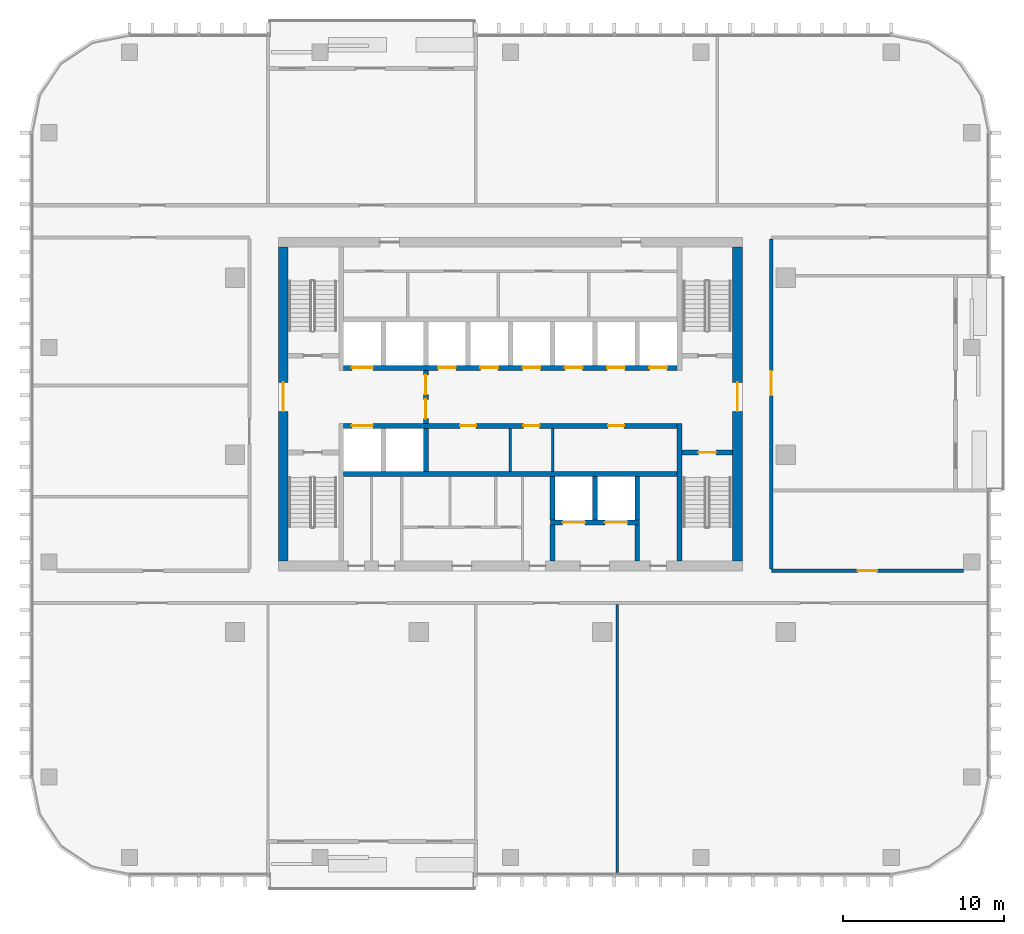
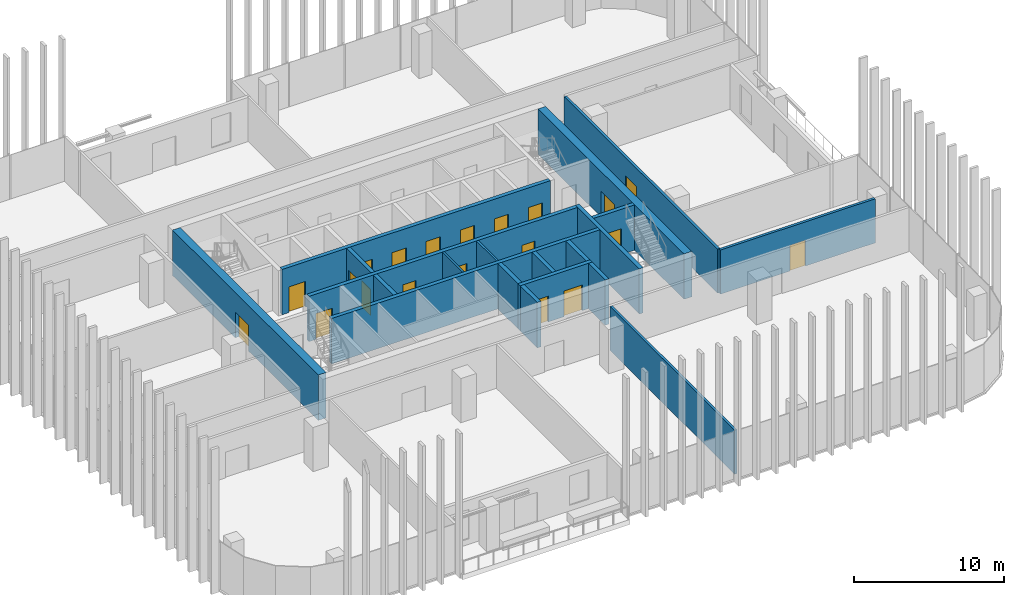
# One storey, part 8 of 16: 20 doors, 20 walls, 20 openings.
"""IFC4 building model written with IfcOpenShell, lengths in metres."""

from ifc_helpers import new_model, si_unit, direction, frame, frame_2d, origin, place, context, subcontext, project, spatial, rectangle, extrude, material, layer, layer_set, type_object, element, fill, save


model = new_model("IFC4")

# Units and contexts
model_context = context("Model", 3, precision=1e-05, world=origin(), true_north=direction((0.0, 1.0)))
body_context = subcontext(model_context, "Body", "Model", "MODEL_VIEW")
ifc_project = project(units=[si_unit("LENGTHUNIT", "METRE"), si_unit("AREAUNIT", "SQUARE_METRE"), si_unit("VOLUMEUNIT", "CUBIC_METRE"), si_unit("PLANEANGLEUNIT", "RADIAN"), si_unit("MASSUNIT", "GRAM", prefix="KILO")], contexts=[model_context])

# Site, building, storey
site_placement = place(None, origin())
site = spatial("IfcSite", under=ifc_project, at=site_placement, CompositionType="ELEMENT")
building_placement = place(site_placement, origin())
building = spatial("IfcBuilding", under=site, at=building_placement, Name="Mopane Tessera Tower", CompositionType="ELEMENT")
storey_placement = place(building_placement, frame((0.0, 0.0, 303.39990234375)))
storey = spatial("IfcBuildingStorey", under=building, at=storey_placement, Name="L66", CompositionType="ELEMENT", Elevation=303.39990234375)

# Walls
ifc_material_1 = material(Name="Fire-rated gypsum board partition")
ifc_layer_1 = layer(ifc_material_1, 0.14990234375)
ifc_layer_set_1 = layer_set([ifc_layer_1], Name="Fire-rated gypsum board partition")
wall_type_1 = type_object("IfcWallType", Name="Core room partition 150 mm", PredefinedType="PARTITIONING", material=ifc_layer_set_1)
for number, where, z_axis, x_axis, name in (
    (1, (0.0, -1.050048828125, 0.0), (0.0, 0.0, 1.0), (0.0, 1.0, 0.0), "L66 Room partition"),
    (2, (2.625, -1.050048828125, 0.0), (0.0, 0.0, 1.0), (0.0, 1.0, 0.0), "L66 Room partition"),
):
    element("IfcWall", number, at=place(storey_placement, frame(where, z_axis=z_axis, x_axis=x_axis)), inside=storey, type_object=wall_type_1, Name=name, PredefinedType="PARTITIONING", context=body_context, shape_type="SweptSolid", body=[
        extrude(rectangle(XDim=2.699951171875, YDim=0.14990234375, at=frame_2d((1.35009765625, 0.0))), origin(), (0.0, 0.0, 1.0), 3.7001953125),
    ])

# Wall, opening, door
ifc_material_2 = material(Name="Concrete C70/85", Category="concrete")
ifc_layer_2 = layer(ifc_material_2, 0.60009765625)
ifc_layer_set_2 = layer_set([ifc_layer_2], Name="Concrete C70/85")
wall_type_2 = type_object("IfcWallType", Name="Core shear wall 600 mm", PredefinedType="SHEAR", material=ifc_layer_set_2)
wall_1_placement = place(storey_placement, frame((-14.10009765625, -6.60009765625, 0.0), z_axis=(0.0, 0.0, 1.0), x_axis=(0.0, 1.0, 0.0)))
wall_1 = element("IfcWall", 3, at=wall_1_placement, inside=storey, type_object=wall_type_2, Name="L66 Core wall west", PredefinedType="SHEAR", context=body_context, shape_type="SweptSolid", body=[
    extrude(rectangle(XDim=19.5, YDim=0.60009765625, at=frame_2d((9.75, 0.0))), origin(), (0.0, 0.0, 1.0), 3.7001953125),
])
opening_1_placement = place(wall_1_placement, frame((9.300048828125, 0.0, 0.0)))
opening_1 = element("IfcOpeningElement", 4, at=opening_1_placement, cuts=wall_1, Name="Opening SD2", PredefinedType="OPENING", context=body_context, shape_type="SweptSolid", body=[
    extrude(rectangle(XDim=1.800048828125, YDim=2.10009765625, at=frame_2d((0.89990234375, 1.050048828125))), frame((0.0, 0.31201171875, 0.0), z_axis=(0.0, -1.0, 0.0), x_axis=(1.0, 0.0, 0.0)), (0.0, 0.0, 1.0), 0.6240234375),
])
ifc_material_3 = material(Name="Steel fire door", Category="steel")
door_type_1 = type_object("IfcDoorType", Name="Core entrance double door 1800 x 2100", OperationType="DOUBLE_DOOR_SINGLE_SWING", PredefinedType="DOOR", material=ifc_material_3)
door_1_placement = place(opening_1_placement, origin())
door_1 = element("IfcDoor", 5, at=door_1_placement, inside=storey, type_object=door_type_1, Name="L66 Core entrance door west", OperationType="DOUBLE_DOOR_SINGLE_SWING", OverallHeight=2.10009765625, OverallWidth=1.800048828125, PredefinedType="DOOR", context=body_context, shape_type="SweptSolid", body=[
    extrude(rectangle(XDim=1.800048828125, YDim=2.10009765625, at=frame_2d((0.89990234375, 1.050048828125))), frame((0.0, 0.02490234375, 0.0), z_axis=(0.0, -1.0, 0.0), x_axis=(1.0, 0.0, 0.0)), (0.0, 0.0, 1.0), 0.050048828125),
])
fill(opening_1, door_1)

wall_2_placement = place(storey_placement, frame((14.10009765625, -6.60009765625, 0.0), z_axis=(0.0, 0.0, 1.0), x_axis=(0.0, 1.0, 0.0)))
wall_2 = element("IfcWall", 6, at=wall_2_placement, inside=storey, type_object=wall_type_2, Name="L66 Core wall east", PredefinedType="SHEAR", context=body_context, shape_type="SweptSolid", body=[
    extrude(rectangle(XDim=19.5, YDim=0.60009765625, at=frame_2d((9.75, 0.0))), origin(), (0.0, 0.0, 1.0), 3.7001953125),
])
opening_2_placement = place(wall_2_placement, frame((9.300048828125, 0.0, 0.0)))
opening_2 = element("IfcOpeningElement", 7, at=opening_2_placement, cuts=wall_2, Name="Opening SD2", PredefinedType="OPENING", context=body_context, shape_type="SweptSolid", body=[
    extrude(rectangle(XDim=1.800048828125, YDim=2.10009765625, at=frame_2d((0.89990234375, 1.050048828125))), frame((0.0, 0.31201171875, 0.0), z_axis=(0.0, -1.0, 0.0), x_axis=(1.0, 0.0, 0.0)), (0.0, 0.0, 1.0), 0.6240234375),
])
door_2_placement = place(opening_2_placement, origin())
door_2 = element("IfcDoor", 8, at=door_2_placement, inside=storey, type_object=door_type_1, Name="L66 Core entrance door east", OperationType="DOUBLE_DOOR_SINGLE_SWING", OverallHeight=2.10009765625, OverallWidth=1.800048828125, PredefinedType="DOOR", context=body_context, shape_type="SweptSolid", body=[
    extrude(rectangle(XDim=1.800048828125, YDim=2.10009765625, at=frame_2d((0.89990234375, 1.050048828125))), frame((0.0, 0.02490234375, 0.0), z_axis=(0.0, -1.0, 0.0), x_axis=(1.0, 0.0, 0.0)), (0.0, 0.0, 1.0), 0.050048828125),
])
fill(opening_2, door_2)

# Walls
ifc_material_4 = material(Name="Concrete C60/75", Category="concrete")
ifc_layer_3 = layer(ifc_material_4, 0.300048828125)
ifc_layer_set_3 = layer_set([ifc_layer_3], Name="Concrete C60/75")
wall_type_3 = type_object("IfcWallType", Name="Core spine wall 300 mm", PredefinedType="SHEAR", material=ifc_layer_set_3)
wall_3_placement = place(storey_placement, frame((10.5, -6.60009765625, 0.0), z_axis=(0.0, 0.0, 1.0), x_axis=(0.0, 1.0, 0.0)))
element("IfcWall", 9, at=wall_3_placement, inside=storey, type_object=wall_type_3, Name="L66 Core spine wall", PredefinedType="SHEAR", context=body_context, shape_type="SweptSolid", body=[
    extrude(rectangle(XDim=8.550048828125, YDim=0.300048828125, at=frame_2d((4.27490234375, 0.0))), origin(), (0.0, 0.0, 1.0), 3.7001953125),
])
ifc_material_5 = material(Name="Gypsum board on staggered steel studs, double layer each face, acoustic mineral wool infill", Category="steel")
ifc_layer_4 = layer(ifc_material_5, 0.175048828125)
ifc_layer_set_4 = layer_set([ifc_layer_4], Name="Gypsum board on staggered steel studs, double layer each face, acoustic mineral wool infill")
wall_type_4 = type_object("IfcWallType", Name="Gypsum board acoustic partition 175, rated EI 60", PredefinedType="PARTITIONING", material=ifc_layer_set_4)
wall_4_placement = place(storey_placement, frame((6.6298828125, -25.949951171875, 0.0), z_axis=(0.0, 0.0, 1.0), x_axis=(0.0, 1.0, 0.0)))
element("IfcWall", 10, at=wall_4_placement, inside=storey, type_object=wall_type_4, Name="Partition L66:015", PredefinedType="PARTITIONING", context=body_context, shape_type="SweptSolid", body=[
    extrude(rectangle(XDim=16.64990234375, YDim=0.175048828125, at=frame_2d((8.324951171875, 0.0))), origin(), (0.0, 0.0, 1.0), 3.60009765625),
])

# Wall, opening, door
ifc_material_6 = material(Name="Gypsum board on steel studs, two layers each face, mineral wool infill", Category="steel")
ifc_layer_5 = layer(ifc_material_6, 0.199951171875)
ifc_layer_set_5 = layer_set([ifc_layer_5], Name="Gypsum board on steel studs, two layers each face, mineral wool infill")
wall_type_5 = type_object("IfcWallType", Name="Gypsum board corridor wall 200, rated EI 60", PredefinedType="PARTITIONING", material=ifc_layer_set_5)
wall_5_placement = place(storey_placement, frame((16.199951171875, -7.199951171875, 0.0), z_axis=(0.0, 0.0, 1.0), x_axis=(1.0, 0.0, 0.0)))
wall_5 = element("IfcWall", 11, at=wall_5_placement, inside=storey, type_object=wall_type_5, Name="Partition L66:002", PredefinedType="PARTITIONING", context=body_context, shape_type="SweptSolid", body=[
    extrude(rectangle(XDim=11.949951171875, YDim=0.199951171875, at=frame_2d((5.97509765625, 0.0))), origin(), (0.0, 0.0, 1.0), 3.60009765625),
])
opening_3_placement = place(wall_5_placement, frame((5.375, 0.0, 0.0)))
opening_3 = element("IfcOpeningElement", 12, at=opening_3_placement, cuts=wall_5, Name="Opening L66-14", PredefinedType="OPENING", context=body_context, shape_type="SweptSolid", body=[
    extrude(rectangle(XDim=1.199951171875, YDim=2.10009765625, at=frame_2d((0.60009765625, 1.050048828125))), frame((0.0, 0.112060546875, 0.0), z_axis=(0.0, -1.0, 0.0), x_axis=(1.0, 0.0, 0.0)), (0.0, 0.0, 1.0), 0.223876953125),
])
ifc_material_7 = material(Name="Timber veneered steel-framed fire door", Category="steel")
door_type_2 = type_object("IfcDoorType", Name="Fire door FD60 1200 x 2100", OperationType="SINGLE_SWING_LEFT", PredefinedType="DOOR", material=ifc_material_7)
door_3_placement = place(opening_3_placement, origin())
door_3 = element("IfcDoor", 13, at=door_3_placement, inside=storey, type_object=door_type_2, Name="Door L66-14", ObjectType="D15A", OperationType="SINGLE_SWING_LEFT", OverallHeight=2.10009765625, OverallWidth=1.199951171875, PredefinedType="DOOR", context=body_context, shape_type="SweptSolid", body=[
    extrude(rectangle(XDim=1.199951171875, YDim=2.10009765625, at=frame_2d((0.60009765625, 1.050048828125))), frame((0.0, 0.02490234375, 0.0), z_axis=(0.0, -1.0, 0.0), x_axis=(1.0, 0.0, 0.0)), (0.0, 0.0, 1.0), 0.050048828125),
])
fill(opening_3, door_3)

wall_6_placement = place(storey_placement, frame((16.199951171875, -7.10009765625, 0.0), z_axis=(0.0, 0.0, 1.0), x_axis=(0.0, 1.0, 0.0)))
wall_6 = element("IfcWall", 14, at=wall_6_placement, inside=storey, type_object=wall_type_5, Name="Partition L66:017", PredefinedType="PARTITIONING", context=body_context, shape_type="SweptSolid", body=[
    extrude(rectangle(XDim=20.5, YDim=0.199951171875, at=frame_2d((10.25, 0.0))), origin(), (0.0, 0.0, 1.0), 3.60009765625),
])
opening_4_placement = place(wall_6_placement, frame((10.794921875, 0.0, 0.0)))
opening_4 = element("IfcOpeningElement", 15, at=opening_4_placement, cuts=wall_6, Name="Opening L66-05", PredefinedType="OPENING", context=body_context, shape_type="SweptSolid", body=[
    extrude(rectangle(XDim=1.5, YDim=2.10009765625, at=frame_2d((0.75, 1.050048828125))), frame((0.0, 0.112060546875, 0.0), z_axis=(0.0, -1.0, 0.0), x_axis=(1.0, 0.0, 0.0)), (0.0, 0.0, 1.0), 0.223876953125),
])
ifc_material_8 = material(Name="Timber veneered steel-framed fire door", Category="steel")
door_type_3 = type_object("IfcDoorType", Name="Fire door pair FD60 1500 x 2100", OperationType="DOUBLE_DOOR_SINGLE_SWING", PredefinedType="DOOR", material=ifc_material_8)
door_4_placement = place(opening_4_placement, origin())
door_4 = element("IfcDoor", 16, at=door_4_placement, inside=storey, type_object=door_type_3, Name="Door L66-05", ObjectType="D17A", OperationType="DOUBLE_DOOR_SINGLE_SWING", OverallHeight=2.10009765625, OverallWidth=1.5, PredefinedType="DOOR", context=body_context, shape_type="SweptSolid", body=[
    extrude(rectangle(XDim=1.5, YDim=2.10009765625, at=frame_2d((0.75, 1.050048828125))), frame((0.0, 0.02490234375, 0.0), z_axis=(0.0, -1.0, 0.0), x_axis=(1.0, 0.0, 0.0)), (0.0, 0.0, 1.0), 0.050048828125),
])
fill(opening_4, door_4)

ifc_material_9 = material(Name="Concrete C50/60", Category="concrete")
ifc_layer_6 = layer(ifc_material_9, 0.300048828125)
ifc_layer_set_6 = layer_set([ifc_layer_6], Name="Concrete C50/60")
wall_type_6 = type_object("IfcWallType", Name="Lift and stair shaft wall 300 mm", PredefinedType="SOLIDWALL", material=ifc_layer_set_6)
wall_7_placement = place(storey_placement, frame((10.64990234375, 0.14990234375, 0.0), z_axis=(0.0, 0.0, 1.0), x_axis=(1.0, 0.0, 0.0)))
wall_7 = element("IfcWall", 17, at=wall_7_placement, inside=storey, type_object=wall_type_6, Name="L66 Stair enclosure wall", PredefinedType="SOLIDWALL", context=body_context, shape_type="SweptSolid", body=[
    extrude(rectangle(XDim=3.150146484375, YDim=0.300048828125, at=frame_2d((1.5751953125, 0.0))), origin(), (0.0, 0.0, 1.0), 3.7001953125),
])
opening_5_placement = place(wall_7_placement, frame((1.02490234375, 0.0, 0.0)))
opening_5 = element("IfcOpeningElement", 18, at=opening_5_placement, cuts=wall_7, Name="Opening SD1", PredefinedType="OPENING", context=body_context, shape_type="SweptSolid", body=[
    extrude(rectangle(XDim=1.10009765625, YDim=2.10009765625, at=frame_2d((0.550048828125, 1.050048828125))), frame((0.0, 0.162109375, 0.0), z_axis=(0.0, -1.0, 0.0), x_axis=(1.0, 0.0, 0.0)), (0.0, 0.0, 1.0), 0.323974609375),
])
ifc_material_10 = material(Name="Steel fire door", Category="steel")
door_type_4 = type_object("IfcDoorType", Name="Stair fire door 1100 x 2100", OperationType="SINGLE_SWING_LEFT", PredefinedType="DOOR", material=ifc_material_10)
door_5_placement = place(opening_5_placement, origin())
door_5 = element("IfcDoor", 19, at=door_5_placement, inside=storey, type_object=door_type_4, Name="L66 Stair door ST3", OperationType="SINGLE_SWING_RIGHT", OverallHeight=2.10009765625, OverallWidth=1.10009765625, PredefinedType="DOOR", context=body_context, shape_type="SweptSolid", body=[
    extrude(rectangle(XDim=1.10009765625, YDim=2.10009765625, at=frame_2d((0.550048828125, 1.050048828125))), frame((0.0, 0.02490234375, 0.0), z_axis=(0.0, -1.0, 0.0), x_axis=(1.0, 0.0, 0.0)), (0.0, 0.0, 1.0), 0.050048828125),
])
fill(opening_5, door_5)

# Wall
wall_8_placement = place(storey_placement, frame((-10.35009765625, -1.199951171875, 0.0), z_axis=(0.0, 0.0, 1.0), x_axis=(1.0, 0.0, 0.0)))
element("IfcWall", 20, at=wall_8_placement, inside=storey, type_object=wall_type_6, Name="L66 Lift shaft rear wall", PredefinedType="SOLIDWALL", context=body_context, shape_type="SweptSolid", body=[
    extrude(rectangle(XDim=20.7001953125, YDim=0.300048828125, at=frame_2d((10.35009765625, 0.0))), origin(), (0.0, 0.0, 1.0), 3.7001953125),
])

# Wall, openings, doors
wall_9_placement = place(storey_placement, frame((-10.35009765625, 1.800048828125, 0.0), z_axis=(0.0, 0.0, 1.0), x_axis=(1.0, 0.0, 0.0)))
wall_9 = element("IfcWall", 21, at=wall_9_placement, inside=storey, type_object=wall_type_6, Name="L66 Lift shaft front wall", PredefinedType="SOLIDWALL", context=body_context, shape_type="SweptSolid", body=[
    extrude(rectangle(XDim=20.7001953125, YDim=0.300048828125, at=frame_2d((10.35009765625, 0.0))), origin(), (0.0, 0.0, 1.0), 3.7001953125),
])
opening_6_placement = place(wall_9_placement, frame((0.512451171875, 0.0, 0.0)))
opening_6 = element("IfcOpeningElement", 22, at=opening_6_placement, cuts=wall_9, Name="Opening LD2", PredefinedType="OPENING", context=body_context, shape_type="SweptSolid", body=[
    extrude(rectangle(XDim=1.300048828125, YDim=2.10009765625, at=frame_2d((0.64990234375, 1.050048828125))), frame((0.0, 0.162109375, 0.0), z_axis=(0.0, -1.0, 0.0), x_axis=(1.0, 0.0, 0.0)), (0.0, 0.0, 1.0), 0.323974609375),
])
opening_7_placement = place(wall_9_placement, frame((7.22509765625, 0.0, 0.0)))
opening_7 = element("IfcOpeningElement", 23, at=opening_7_placement, cuts=wall_9, Name="Opening RD1", PredefinedType="OPENING", context=body_context, shape_type="SweptSolid", body=[
    extrude(rectangle(XDim=1.0, YDim=2.10009765625, at=frame_2d((0.5, 1.050048828125))), frame((0.0, 0.162109375, 0.0), z_axis=(0.0, -1.0, 0.0), x_axis=(1.0, 0.0, 0.0)), (0.0, 0.0, 1.0), 0.323974609375),
])
opening_8_placement = place(wall_9_placement, frame((11.16259765625, 0.0, 0.0)))
opening_8 = element("IfcOpeningElement", 24, at=opening_8_placement, cuts=wall_9, Name="Opening RD1", PredefinedType="OPENING", context=body_context, shape_type="SweptSolid", body=[
    extrude(rectangle(XDim=1.0, YDim=2.10009765625, at=frame_2d((0.5, 1.050048828125))), frame((0.0, 0.162109375, 0.0), z_axis=(0.0, -1.0, 0.0), x_axis=(1.0, 0.0, 0.0)), (0.0, 0.0, 1.0), 0.323974609375),
])
opening_9_placement = place(wall_9_placement, frame((16.41259765625, 0.0, 0.0)))
opening_9 = element("IfcOpeningElement", 25, at=opening_9_placement, cuts=wall_9, Name="Opening RD1", PredefinedType="OPENING", context=body_context, shape_type="SweptSolid", body=[
    extrude(rectangle(XDim=1.0, YDim=2.10009765625, at=frame_2d((0.5, 1.050048828125))), frame((0.0, 0.162109375, 0.0), z_axis=(0.0, -1.0, 0.0), x_axis=(1.0, 0.0, 0.0)), (0.0, 0.0, 1.0), 0.323974609375),
])
ifc_material_11 = material(Name="Timber door", Category="wood")
door_type_5 = type_object("IfcDoorType", Name="Core room door 1000 x 2100", OperationType="SINGLE_SWING_LEFT", PredefinedType="DOOR", material=ifc_material_11)
door_6_placement = place(opening_7_placement, origin())
door_6 = element("IfcDoor", 26, at=door_6_placement, inside=storey, type_object=door_type_5, Name="L66 Room door", OperationType="SINGLE_SWING_LEFT", OverallHeight=2.10009765625, OverallWidth=1.0, PredefinedType="DOOR", context=body_context, shape_type="SweptSolid", body=[
    extrude(rectangle(XDim=1.0, YDim=2.10009765625, at=frame_2d((0.5, 1.050048828125))), frame((0.0, 0.02490234375, 0.0), z_axis=(0.0, -1.0, 0.0), x_axis=(1.0, 0.0, 0.0)), (0.0, 0.0, 1.0), 0.050048828125),
])
fill(opening_7, door_6)
door_7_placement = place(opening_8_placement, origin())
door_7 = element("IfcDoor", 27, at=door_7_placement, inside=storey, type_object=door_type_5, Name="L66 Room door", OperationType="SINGLE_SWING_LEFT", OverallHeight=2.10009765625, OverallWidth=1.0, PredefinedType="DOOR", context=body_context, shape_type="SweptSolid", body=[
    extrude(rectangle(XDim=1.0, YDim=2.10009765625, at=frame_2d((0.5, 1.050048828125))), frame((0.0, 0.02490234375, 0.0), z_axis=(0.0, -1.0, 0.0), x_axis=(1.0, 0.0, 0.0)), (0.0, 0.0, 1.0), 0.050048828125),
])
fill(opening_8, door_7)
door_8_placement = place(opening_9_placement, origin())
door_8 = element("IfcDoor", 28, at=door_8_placement, inside=storey, type_object=door_type_5, Name="L66 Room door", OperationType="SINGLE_SWING_LEFT", OverallHeight=2.10009765625, OverallWidth=1.0, PredefinedType="DOOR", context=body_context, shape_type="SweptSolid", body=[
    extrude(rectangle(XDim=1.0, YDim=2.10009765625, at=frame_2d((0.5, 1.050048828125))), frame((0.0, 0.02490234375, 0.0), z_axis=(0.0, -1.0, 0.0), x_axis=(1.0, 0.0, 0.0)), (0.0, 0.0, 1.0), 0.050048828125),
])
fill(opening_9, door_8)
ifc_material_12 = material(Name="Stainless steel sliding door", Category="steel")
door_type_6 = type_object("IfcDoorType", Name="Fire-fighting lift landing door 1300 x 2100", OperationType="DOUBLE_DOOR_SLIDING", PredefinedType="DOOR", material=ifc_material_12)
door_9_placement = place(opening_6_placement, origin())
door_9 = element("IfcDoor", 29, at=door_9_placement, inside=storey, type_object=door_type_6, Name="L66 Lift landing door FF1", OperationType="DOUBLE_DOOR_SLIDING", OverallHeight=2.10009765625, OverallWidth=1.300048828125, PredefinedType="DOOR", context=body_context, shape_type="SweptSolid", body=[
    extrude(rectangle(XDim=1.300048828125, YDim=2.10009765625, at=frame_2d((0.64990234375, 1.050048828125))), frame((0.0, 0.02490234375, 0.0), z_axis=(0.0, -1.0, 0.0), x_axis=(1.0, 0.0, 0.0)), (0.0, 0.0, 1.0), 0.050048828125),
])
fill(opening_6, door_9)

wall_10_placement = place(storey_placement, frame((-10.35009765625, 5.39990234375, 0.0), z_axis=(0.0, 0.0, 1.0), x_axis=(1.0, 0.0, 0.0)))
wall_10 = element("IfcWall", 30, at=wall_10_placement, inside=storey, type_object=wall_type_6, Name="L66 Lift shaft front wall", PredefinedType="SOLIDWALL", context=body_context, shape_type="SweptSolid", body=[
    extrude(rectangle(XDim=20.7001953125, YDim=0.300048828125, at=frame_2d((10.35009765625, 0.0))), origin(), (0.0, 0.0, 1.0), 3.7001953125),
])
opening_10_placement = place(wall_10_placement, frame((0.512451171875, 0.0, 0.0)))
opening_10 = element("IfcOpeningElement", 31, at=opening_10_placement, cuts=wall_10, Name="Opening LD2", PredefinedType="OPENING", context=body_context, shape_type="SweptSolid", body=[
    extrude(rectangle(XDim=1.300048828125, YDim=2.10009765625, at=frame_2d((0.64990234375, 1.050048828125))), frame((0.0, 0.162109375, 0.0), z_axis=(0.0, -1.0, 0.0), x_axis=(1.0, 0.0, 0.0)), (0.0, 0.0, 1.0), 0.323974609375),
])
opening_11_placement = place(wall_10_placement, frame((5.862548828125, 0.0, 0.0)))
opening_11 = element("IfcOpeningElement", 32, at=opening_11_placement, cuts=wall_10, Name="Opening LD", PredefinedType="OPENING", context=body_context, shape_type="SweptSolid", body=[
    extrude(rectangle(XDim=1.10009765625, YDim=2.10009765625, at=frame_2d((0.550048828125, 1.050048828125))), frame((0.0, 0.162109375, 0.0), z_axis=(0.0, -1.0, 0.0), x_axis=(1.0, 0.0, 0.0)), (0.0, 0.0, 1.0), 0.323974609375),
])
opening_12_placement = place(wall_10_placement, frame((8.487548828125, 0.0, 0.0)))
opening_12 = element("IfcOpeningElement", 33, at=opening_12_placement, cuts=wall_10, Name="Opening LD", PredefinedType="OPENING", context=body_context, shape_type="SweptSolid", body=[
    extrude(rectangle(XDim=1.10009765625, YDim=2.10009765625, at=frame_2d((0.550048828125, 1.050048828125))), frame((0.0, 0.162109375, 0.0), z_axis=(0.0, -1.0, 0.0), x_axis=(1.0, 0.0, 0.0)), (0.0, 0.0, 1.0), 0.323974609375),
])
opening_13_placement = place(wall_10_placement, frame((11.112548828125, 0.0, 0.0)))
opening_13 = element("IfcOpeningElement", 34, at=opening_13_placement, cuts=wall_10, Name="Opening LD", PredefinedType="OPENING", context=body_context, shape_type="SweptSolid", body=[
    extrude(rectangle(XDim=1.10009765625, YDim=2.10009765625, at=frame_2d((0.550048828125, 1.050048828125))), frame((0.0, 0.162109375, 0.0), z_axis=(0.0, -1.0, 0.0), x_axis=(1.0, 0.0, 0.0)), (0.0, 0.0, 1.0), 0.323974609375),
])
opening_14_placement = place(wall_10_placement, frame((13.737548828125, 0.0, 0.0)))
opening_14 = element("IfcOpeningElement", 35, at=opening_14_placement, cuts=wall_10, Name="Opening LD", PredefinedType="OPENING", context=body_context, shape_type="SweptSolid", body=[
    extrude(rectangle(XDim=1.10009765625, YDim=2.10009765625, at=frame_2d((0.550048828125, 1.050048828125))), frame((0.0, 0.162109375, 0.0), z_axis=(0.0, -1.0, 0.0), x_axis=(1.0, 0.0, 0.0)), (0.0, 0.0, 1.0), 0.323974609375),
])
opening_15_placement = place(wall_10_placement, frame((16.362548828125, 0.0, 0.0)))
opening_15 = element("IfcOpeningElement", 36, at=opening_15_placement, cuts=wall_10, Name="Opening LD", PredefinedType="OPENING", context=body_context, shape_type="SweptSolid", body=[
    extrude(rectangle(XDim=1.10009765625, YDim=2.10009765625, at=frame_2d((0.550048828125, 1.050048828125))), frame((0.0, 0.162109375, 0.0), z_axis=(0.0, -1.0, 0.0), x_axis=(1.0, 0.0, 0.0)), (0.0, 0.0, 1.0), 0.323974609375),
])
opening_16_placement = place(wall_10_placement, frame((18.987548828125, 0.0, 0.0)))
opening_16 = element("IfcOpeningElement", 37, at=opening_16_placement, cuts=wall_10, Name="Opening LD", PredefinedType="OPENING", context=body_context, shape_type="SweptSolid", body=[
    extrude(rectangle(XDim=1.10009765625, YDim=2.10009765625, at=frame_2d((0.550048828125, 1.050048828125))), frame((0.0, 0.162109375, 0.0), z_axis=(0.0, -1.0, 0.0), x_axis=(1.0, 0.0, 0.0)), (0.0, 0.0, 1.0), 0.323974609375),
])
door_10_placement = place(opening_10_placement, origin())
door_10 = element("IfcDoor", 38, at=door_10_placement, inside=storey, type_object=door_type_6, Name="L66 Lift landing door FF2", OperationType="DOUBLE_DOOR_SLIDING", OverallHeight=2.10009765625, OverallWidth=1.300048828125, PredefinedType="DOOR", context=body_context, shape_type="SweptSolid", body=[
    extrude(rectangle(XDim=1.300048828125, YDim=2.10009765625, at=frame_2d((0.64990234375, 1.050048828125))), frame((0.0, 0.02490234375, 0.0), z_axis=(0.0, -1.0, 0.0), x_axis=(1.0, 0.0, 0.0)), (0.0, 0.0, 1.0), 0.050048828125),
])
fill(opening_10, door_10)
ifc_material_13 = material(Name="Stainless steel sliding door", Category="steel")
door_type_7 = type_object("IfcDoorType", Name="Lift landing door 1100 x 2100", OperationType="DOUBLE_DOOR_SLIDING", PredefinedType="DOOR", material=ifc_material_13)
door_11_placement = place(opening_11_placement, origin())
door_11 = element("IfcDoor", 39, at=door_11_placement, inside=storey, type_object=door_type_7, Name="L66 Lift landing door HR1", OperationType="DOUBLE_DOOR_SLIDING", OverallHeight=2.10009765625, OverallWidth=1.10009765625, PredefinedType="DOOR", context=body_context, shape_type="SweptSolid", body=[
    extrude(rectangle(XDim=1.10009765625, YDim=2.10009765625, at=frame_2d((0.550048828125, 1.050048828125))), frame((0.0, 0.02490234375, 0.0), z_axis=(0.0, -1.0, 0.0), x_axis=(1.0, 0.0, 0.0)), (0.0, 0.0, 1.0), 0.050048828125),
])
fill(opening_11, door_11)
door_12_placement = place(opening_12_placement, origin())
door_12 = element("IfcDoor", 40, at=door_12_placement, inside=storey, type_object=door_type_7, Name="L66 Lift landing door HR2", OperationType="DOUBLE_DOOR_SLIDING", OverallHeight=2.10009765625, OverallWidth=1.10009765625, PredefinedType="DOOR", context=body_context, shape_type="SweptSolid", body=[
    extrude(rectangle(XDim=1.10009765625, YDim=2.10009765625, at=frame_2d((0.550048828125, 1.050048828125))), frame((0.0, 0.02490234375, 0.0), z_axis=(0.0, -1.0, 0.0), x_axis=(1.0, 0.0, 0.0)), (0.0, 0.0, 1.0), 0.050048828125),
])
fill(opening_12, door_12)
door_13_placement = place(opening_13_placement, origin())
door_13 = element("IfcDoor", 41, at=door_13_placement, inside=storey, type_object=door_type_7, Name="L66 Lift landing door HR3", OperationType="DOUBLE_DOOR_SLIDING", OverallHeight=2.10009765625, OverallWidth=1.10009765625, PredefinedType="DOOR", context=body_context, shape_type="SweptSolid", body=[
    extrude(rectangle(XDim=1.10009765625, YDim=2.10009765625, at=frame_2d((0.550048828125, 1.050048828125))), frame((0.0, 0.02490234375, 0.0), z_axis=(0.0, -1.0, 0.0), x_axis=(1.0, 0.0, 0.0)), (0.0, 0.0, 1.0), 0.050048828125),
])
fill(opening_13, door_13)
door_14_placement = place(opening_14_placement, origin())
door_14 = element("IfcDoor", 42, at=door_14_placement, inside=storey, type_object=door_type_7, Name="L66 Lift landing door HR4", OperationType="DOUBLE_DOOR_SLIDING", OverallHeight=2.10009765625, OverallWidth=1.10009765625, PredefinedType="DOOR", context=body_context, shape_type="SweptSolid", body=[
    extrude(rectangle(XDim=1.10009765625, YDim=2.10009765625, at=frame_2d((0.550048828125, 1.050048828125))), frame((0.0, 0.02490234375, 0.0), z_axis=(0.0, -1.0, 0.0), x_axis=(1.0, 0.0, 0.0)), (0.0, 0.0, 1.0), 0.050048828125),
])
fill(opening_14, door_14)
door_15_placement = place(opening_15_placement, origin())
door_15 = element("IfcDoor", 43, at=door_15_placement, inside=storey, type_object=door_type_7, Name="L66 Lift landing door HR5", OperationType="DOUBLE_DOOR_SLIDING", OverallHeight=2.10009765625, OverallWidth=1.10009765625, PredefinedType="DOOR", context=body_context, shape_type="SweptSolid", body=[
    extrude(rectangle(XDim=1.10009765625, YDim=2.10009765625, at=frame_2d((0.550048828125, 1.050048828125))), frame((0.0, 0.02490234375, 0.0), z_axis=(0.0, -1.0, 0.0), x_axis=(1.0, 0.0, 0.0)), (0.0, 0.0, 1.0), 0.050048828125),
])
fill(opening_15, door_15)
door_16_placement = place(opening_16_placement, origin())
door_16 = element("IfcDoor", 44, at=door_16_placement, inside=storey, type_object=door_type_7, Name="L66 Lift landing door HR6", OperationType="DOUBLE_DOOR_SLIDING", OverallHeight=2.10009765625, OverallWidth=1.10009765625, PredefinedType="DOOR", context=body_context, shape_type="SweptSolid", body=[
    extrude(rectangle(XDim=1.10009765625, YDim=2.10009765625, at=frame_2d((0.550048828125, 1.050048828125))), frame((0.0, 0.02490234375, 0.0), z_axis=(0.0, -1.0, 0.0), x_axis=(1.0, 0.0, 0.0)), (0.0, 0.0, 1.0), 0.050048828125),
])
fill(opening_16, door_16)

# Wall
wall_11_placement = place(storey_placement, frame((-5.25, -1.050048828125, 0.0), z_axis=(0.0, 0.0, 1.0), x_axis=(0.0, 1.0, 0.0)))
element("IfcWall", 45, at=wall_11_placement, inside=storey, type_object=wall_type_6, Name="L66 Lift shaft wall", PredefinedType="SOLIDWALL", context=body_context, shape_type="SweptSolid", body=[
    extrude(rectangle(XDim=2.699951171875, YDim=0.300048828125, at=frame_2d((1.35009765625, 0.0))), origin(), (0.0, 0.0, 1.0), 3.7001953125),
])

# Wall, openings, doors
wall_12_placement = place(storey_placement, frame((2.47509765625, -4.199951171875, 0.0), z_axis=(0.0, 0.0, 1.0), x_axis=(1.0, 0.0, 0.0)))
wall_12 = element("IfcWall", 46, at=wall_12_placement, inside=storey, type_object=wall_type_6, Name="L66 Lift shaft front wall", PredefinedType="SOLIDWALL", context=body_context, shape_type="SweptSolid", body=[
    extrude(rectangle(XDim=5.5498046875, YDim=0.300048828125, at=frame_2d((2.77490234375, 0.0))), origin(), (0.0, 0.0, 1.0), 3.7001953125),
])
opening_17_placement = place(wall_12_placement, frame((0.762451171875, 0.0, 0.0)))
opening_17 = element("IfcOpeningElement", 47, at=opening_17_placement, cuts=wall_12, Name="Opening LD3", PredefinedType="OPENING", context=body_context, shape_type="SweptSolid", body=[
    extrude(rectangle(XDim=1.39990234375, YDim=2.10009765625, at=frame_2d((0.699951171875, 1.050048828125))), frame((0.0, 0.162109375, 0.0), z_axis=(0.0, -1.0, 0.0), x_axis=(1.0, 0.0, 0.0)), (0.0, 0.0, 1.0), 0.323974609375),
])
opening_18_placement = place(wall_12_placement, frame((3.387451171875, 0.0, 0.0)))
opening_18 = element("IfcOpeningElement", 48, at=opening_18_placement, cuts=wall_12, Name="Opening LD3", PredefinedType="OPENING", context=body_context, shape_type="SweptSolid", body=[
    extrude(rectangle(XDim=1.39990234375, YDim=2.10009765625, at=frame_2d((0.699951171875, 1.050048828125))), frame((0.0, 0.162109375, 0.0), z_axis=(0.0, -1.0, 0.0), x_axis=(1.0, 0.0, 0.0)), (0.0, 0.0, 1.0), 0.323974609375),
])
ifc_material_14 = material(Name="Stainless steel sliding door", Category="steel")
door_type_8 = type_object("IfcDoorType", Name="Service lift landing door 1400 x 2100", OperationType="DOUBLE_DOOR_SLIDING", PredefinedType="DOOR", material=ifc_material_14)
door_17_placement = place(opening_17_placement, origin())
door_17 = element("IfcDoor", 49, at=door_17_placement, inside=storey, type_object=door_type_8, Name="L66 Lift landing door SV1", OperationType="DOUBLE_DOOR_SLIDING", OverallHeight=2.10009765625, OverallWidth=1.39990234375, PredefinedType="DOOR", context=body_context, shape_type="SweptSolid", body=[
    extrude(rectangle(XDim=1.39990234375, YDim=2.10009765625, at=frame_2d((0.699951171875, 1.050048828125))), frame((0.0, 0.02490234375, 0.0), z_axis=(0.0, -1.0, 0.0), x_axis=(1.0, 0.0, 0.0)), (0.0, 0.0, 1.0), 0.050048828125),
])
fill(opening_17, door_17)
door_18_placement = place(opening_18_placement, origin())
door_18 = element("IfcDoor", 50, at=door_18_placement, inside=storey, type_object=door_type_8, Name="L66 Lift landing door SV2", OperationType="DOUBLE_DOOR_SLIDING", OverallHeight=2.10009765625, OverallWidth=1.39990234375, PredefinedType="DOOR", context=body_context, shape_type="SweptSolid", body=[
    extrude(rectangle(XDim=1.39990234375, YDim=2.10009765625, at=frame_2d((0.699951171875, 1.050048828125))), frame((0.0, 0.02490234375, 0.0), z_axis=(0.0, -1.0, 0.0), x_axis=(1.0, 0.0, 0.0)), (0.0, 0.0, 1.0), 0.050048828125),
])
fill(opening_18, door_18)

# Walls
for number, where, z_axis, x_axis, name in (
    (51, (2.625, -4.050048828125, 0.0), (0.0, 0.0, 1.0), (0.0, 1.0, 0.0), "L66 Lift shaft wall"),
    (52, (5.25, -4.050048828125, 0.0), (0.0, 0.0, 1.0), (0.0, 1.0, 0.0), "L66 Lift shaft wall"),
    (53, (7.875, -4.050048828125, 0.0), (0.0, 0.0, 1.0), (0.0, 1.0, 0.0), "L66 Lift shaft wall"),
):
    element("IfcWall", number, at=place(storey_placement, frame(where, z_axis=z_axis, x_axis=x_axis)), inside=storey, type_object=wall_type_6, Name=name, PredefinedType="SOLIDWALL", context=body_context, shape_type="SweptSolid", body=[
        extrude(rectangle(XDim=2.699951171875, YDim=0.300048828125, at=frame_2d((1.35009765625, 0.0))), origin(), (0.0, 0.0, 1.0), 3.7001953125),
    ])

# Wall, openings, doors
ifc_material_15 = material(Name="Concrete C50/60", Category="concrete")
ifc_layer_7 = layer(ifc_material_15, 0.300048828125)
ifc_layer_set_7 = layer_set([ifc_layer_7], Name="Concrete C50/60")
wall_type_7 = type_object("IfcWallType", Name="Lobby and refuge room wall 300 mm", PredefinedType="SOLIDWALL", material=ifc_layer_set_7)
wall_13_placement = place(storey_placement, frame((-5.25, 1.949951171875, 0.0), z_axis=(0.0, 0.0, 1.0), x_axis=(0.0, 1.0, 0.0)))
wall_13 = element("IfcWall", 54, at=wall_13_placement, inside=storey, type_object=wall_type_7, Name="L66 Fire-fighting lobby wall", PredefinedType="SOLIDWALL", context=body_context, shape_type="SweptSolid", body=[
    extrude(rectangle(XDim=3.300048828125, YDim=0.300048828125, at=frame_2d((1.64990234375, 0.0))), origin(), (0.0, 0.0, 1.0), 3.7001953125),
])
opening_19_placement = place(wall_13_placement, frame((0.300048828125, 0.0, 0.0)))
opening_19 = element("IfcOpeningElement", 55, at=opening_19_placement, cuts=wall_13, Name="Opening SD3", PredefinedType="OPENING", context=body_context, shape_type="SweptSolid", body=[
    extrude(rectangle(XDim=1.199951171875, YDim=2.10009765625, at=frame_2d((0.60009765625, 1.050048828125))), frame((0.0, 0.162109375, 0.0), z_axis=(0.0, -1.0, 0.0), x_axis=(1.0, 0.0, 0.0)), (0.0, 0.0, 1.0), 0.323974609375),
])
opening_20_placement = place(wall_13_placement, frame((1.800048828125, 0.0, 0.0)))
opening_20 = element("IfcOpeningElement", 56, at=opening_20_placement, cuts=wall_13, Name="Opening SD3", PredefinedType="OPENING", context=body_context, shape_type="SweptSolid", body=[
    extrude(rectangle(XDim=1.199951171875, YDim=2.10009765625, at=frame_2d((0.60009765625, 1.050048828125))), frame((0.0, 0.162109375, 0.0), z_axis=(0.0, -1.0, 0.0), x_axis=(1.0, 0.0, 0.0)), (0.0, 0.0, 1.0), 0.323974609375),
])
ifc_material_16 = material(Name="Steel fire door", Category="steel")
door_type_9 = type_object("IfcDoorType", Name="Lobby fire door 1200 x 2100", OperationType="SINGLE_SWING_LEFT", PredefinedType="DOOR", material=ifc_material_16)
door_19_placement = place(opening_19_placement, origin())
door_19 = element("IfcDoor", 57, at=door_19_placement, inside=storey, type_object=door_type_9, Name="L66 Fire-fighting lobby door", OperationType="SINGLE_SWING_LEFT", OverallHeight=2.10009765625, OverallWidth=1.199951171875, PredefinedType="DOOR", context=body_context, shape_type="SweptSolid", body=[
    extrude(rectangle(XDim=1.199951171875, YDim=2.10009765625, at=frame_2d((0.60009765625, 1.050048828125))), frame((0.0, 0.02490234375, 0.0), z_axis=(0.0, -1.0, 0.0), x_axis=(1.0, 0.0, 0.0)), (0.0, 0.0, 1.0), 0.050048828125),
])
fill(opening_19, door_19)
door_20_placement = place(opening_20_placement, origin())
door_20 = element("IfcDoor", 58, at=door_20_placement, inside=storey, type_object=door_type_9, Name="L66 Fire-fighting lobby door", OperationType="SINGLE_SWING_RIGHT", OverallHeight=2.10009765625, OverallWidth=1.199951171875, PredefinedType="DOOR", context=body_context, shape_type="SweptSolid", body=[
    extrude(rectangle(XDim=1.199951171875, YDim=2.10009765625, at=frame_2d((0.60009765625, 1.050048828125))), frame((0.0, 0.02490234375, 0.0), z_axis=(0.0, -1.0, 0.0), x_axis=(1.0, 0.0, 0.0)), (0.0, 0.0, 1.0), 0.050048828125),
])
fill(opening_20, door_20)

# Walls
for number, where, z_axis, x_axis, name in (
    (59, (2.625, -6.60009765625, 0.0), (0.0, 0.0, 1.0), (0.0, 1.0, 0.0), "L66 Service lobby wall"),
    (60, (7.875, -6.60009765625, 0.0), (0.0, 0.0, 1.0), (0.0, 1.0, 0.0), "L66 Service lobby wall"),
):
    element("IfcWall", number, at=place(storey_placement, frame(where, z_axis=z_axis, x_axis=x_axis)), inside=storey, type_object=wall_type_7, Name=name, PredefinedType="SOLIDWALL", context=body_context, shape_type="SweptSolid", body=[
        extrude(rectangle(XDim=2.25, YDim=0.300048828125, at=frame_2d((1.125, 0.0))), origin(), (0.0, 0.0, 1.0), 3.7001953125),
    ])

save(model, "model.ifc")
